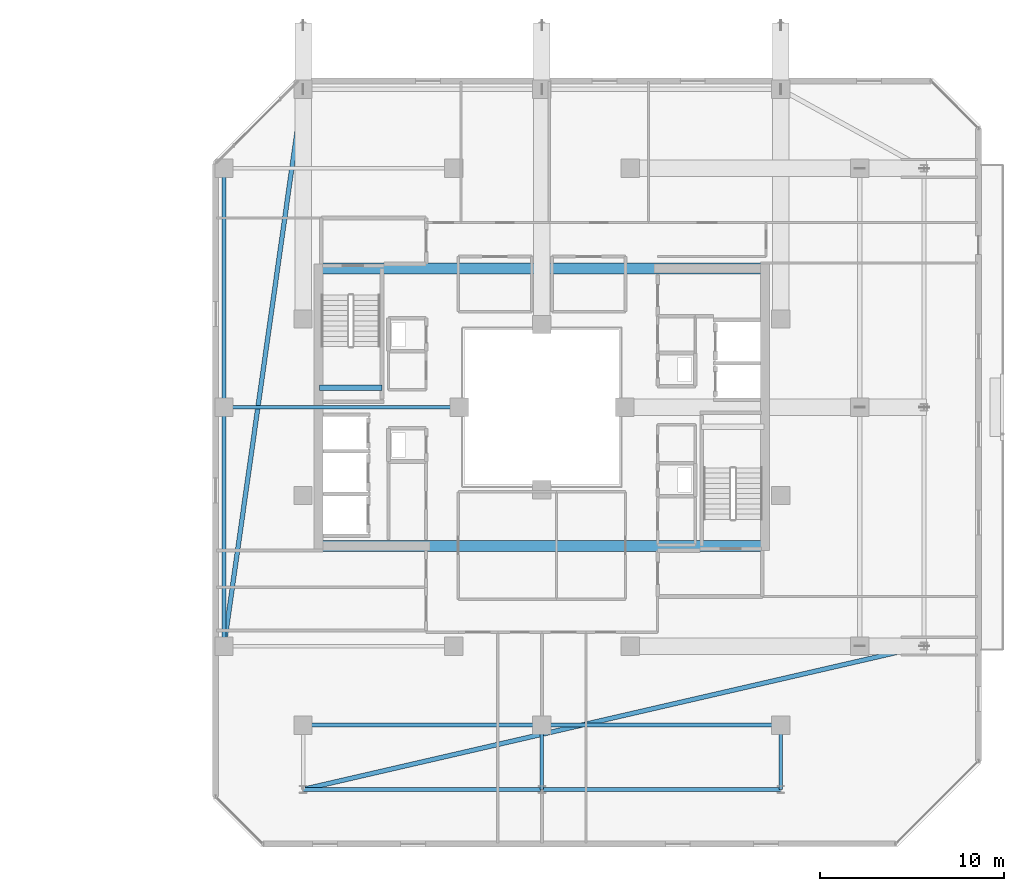
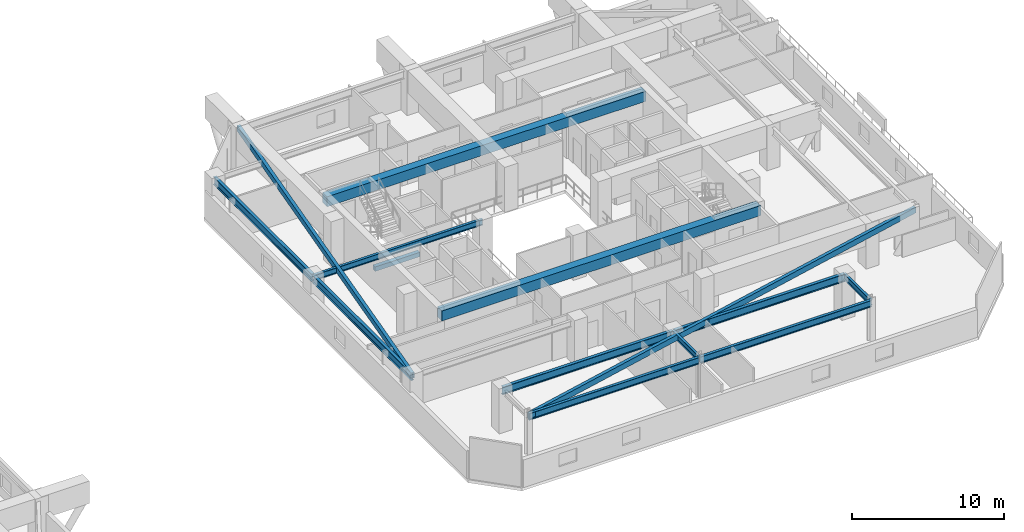
# One storey, part 11 of 34: 14 beams.
"""IFC4 building model written with IfcOpenShell, lengths in metres."""

from ifc_helpers import new_model, si_unit, direction, frame, origin, origin_2d, place, context, subcontext, project, spatial, rectangle, hollow_rectangle, i_section, extrude, material, material_profile, profile_set, type_object, element, save


model = new_model("IFC4")

# Units and contexts
model_context = context("Model", 3, precision=1e-05, world=origin(), true_north=direction((0.0, 1.0)))
body_context = subcontext(model_context, "Body", "Model", "MODEL_VIEW")
ifc_project = project(units=[si_unit("LENGTHUNIT", "METRE"), si_unit("AREAUNIT", "SQUARE_METRE"), si_unit("VOLUMEUNIT", "CUBIC_METRE"), si_unit("PLANEANGLEUNIT", "RADIAN"), si_unit("MASSUNIT", "GRAM", prefix="KILO")], contexts=[model_context])

# Site, building, storey
site_placement = place(None, origin())
site = spatial("IfcSite", under=ifc_project, at=site_placement, CompositionType="ELEMENT")
building_placement = place(site_placement, origin())
building = spatial("IfcBuilding", under=site, at=building_placement, Name="Thornwick Lancets Civic Towers", CompositionType="ELEMENT")
storey_placement = place(building_placement, frame((0.0, 0.0, 251.10009765625)))
storey = spatial("IfcBuildingStorey", under=building, at=storey_placement, Name="L67", CompositionType="ELEMENT", Elevation=251.10009765625)

# Beams
ifc_material_1 = material(Name="Concrete C60/75", Category="concrete")
ifc_material_profile_1 = material_profile(ifc_material_1, rectangle(XDim=0.60009765625, YDim=0.800048828125, at=origin_2d()), Name="RC 600x800")
ifc_profile_set_1 = profile_set([ifc_material_profile_1], Name="Concrete C60/75")
beam_type_1 = type_object("IfcBeamType", Name="BM_COUP_RC800", PredefinedType="BEAM", material=ifc_profile_set_1)
for number, where, z_axis, x_axis, name in (
    (1, (76.39990234375, 34.550048828125, 2.93994140625), (1.0, 0.0, 0.0), (0.0, 1.0, 0.0), "CB-L67-B1"),
    (2, (76.39990234375, 19.449951171875, 2.93994140625), (1.0, 0.0, 0.0), (0.0, 1.0, 0.0), "CB-L67-B2"),
):
    element("IfcBeam", number, at=place(storey_placement, frame(where, z_axis=z_axis, x_axis=x_axis)), inside=storey, type_object=beam_type_1, Name=name, PredefinedType="BEAM", context=body_context, shape_type="SweptSolid", body=[
        extrude(rectangle(XDim=0.60009765625, YDim=0.800048828125, at=origin_2d()), origin(), (0.0, 0.0, 1.0), 24.2001953125),
    ])
ifc_material_2 = material(Name="Steel S355JR", Category="steel")
ifc_material_profile_2 = material_profile(ifc_material_2, i_section(OverallWidth=0.210693359375, OverallDepth=0.53955078125, WebThickness=0.01171875, FlangeThickness=0.018798828125, FilletRadius=0.0126953125, at=origin_2d()), Name="UKB 533x210x109")
ifc_profile_set_2 = profile_set([ifc_material_profile_2], Name="Steel S355JR")
beam_type_2 = type_object("IfcBeamType", Name="BM_EDGE_533_109", PredefinedType="SPANDREL", material=ifc_profile_set_2)
beam_1_placement = place(storey_placement, frame((101.5, 6.199951171875, 3.0703125), z_axis=(-1.0, 0.0, 0.0), x_axis=(0.0, -1.0, 0.0)))
element("IfcBeam", 3, at=beam_1_placement, inside=storey, type_object=beam_type_2, Name="BM-EDGE-L67-B-S3-1", PredefinedType="SPANDREL", context=body_context, shape_type="SweptSolid", body=[
    extrude(i_section(OverallWidth=0.210693359375, OverallDepth=0.53955078125, WebThickness=0.01171875, FlangeThickness=0.018798828125, FilletRadius=0.0126953125, at=origin_2d()), origin(), (0.0, 0.0, 1.0), 13.0),
])
beam_2_placement = place(storey_placement, frame((88.419921875, 6.199951171875, 3.0703125), z_axis=(-1.0, 0.0, 0.0), x_axis=(0.0, -1.0, 0.0)))
element("IfcBeam", 4, at=beam_2_placement, inside=storey, type_object=beam_type_2, Name="BM-EDGE-L67-B-S3-2", PredefinedType="SPANDREL", context=body_context, shape_type="SweptSolid", body=[
    extrude(i_section(OverallWidth=0.210693359375, OverallDepth=0.53955078125, WebThickness=0.01171875, FlangeThickness=0.018798828125, FilletRadius=0.0126953125, at=origin_2d()), origin(), (0.0, 0.0, 1.0), 12.919921875),
])
ifc_material_profile_3 = material_profile(ifc_material_2, i_section(OverallWidth=0.230224609375, OverallDepth=0.6171875, WebThickness=0.01318359375, FlangeThickness=0.022216796875, FilletRadius=0.0126953125, at=origin_2d()), Name="UKB 610x229x140")
ifc_profile_set_3 = profile_set([ifc_material_profile_3], Name="Steel S355JR")
beam_type_3 = type_object("IfcBeamType", Name="BM_GIRD_610_140", PredefinedType="BEAM", material=ifc_profile_set_3)
beam_3_placement = place(storey_placement, frame((71.199951171875, 14.0, 3.03125), z_axis=(0.0, 1.0, 0.0), x_axis=(-1.0, 0.0, 0.0)))
element("IfcBeam", 5, at=beam_3_placement, inside=storey, type_object=beam_type_3, Name="BM-SPINE-L67-B-6-7", PredefinedType="BEAM", context=body_context, shape_type="SweptSolid", body=[
    extrude(i_section(OverallWidth=0.230224609375, OverallDepth=0.6171875, WebThickness=0.01318359375, FlangeThickness=0.022216796875, FilletRadius=0.0126953125, at=origin_2d()), origin(), (0.0, 0.0, 1.0), 13.0),
])
beam_4_placement = place(storey_placement, frame((71.199951171875, 27.080078125, 3.03125), z_axis=(0.0, 1.0, 0.0), x_axis=(-1.0, 0.0, 0.0)))
element("IfcBeam", 6, at=beam_4_placement, inside=storey, type_object=beam_type_3, Name="BM-SPINE-L67-B-7-8", PredefinedType="BEAM", context=body_context, shape_type="SweptSolid", body=[
    extrude(i_section(OverallWidth=0.230224609375, OverallDepth=0.6171875, WebThickness=0.01318359375, FlangeThickness=0.022216796875, FilletRadius=0.0126953125, at=origin_2d()), origin(), (0.0, 0.0, 1.0), 12.919921875),
])
beam_5_placement = place(storey_placement, frame((101.5, 9.699951171875, 3.03125), z_axis=(-1.0, 0.0, 0.0), x_axis=(0.0, -1.0, 0.0)))
element("IfcBeam", 7, at=beam_5_placement, inside=storey, type_object=beam_type_3, Name="BM-SPINE-L67-B-9-10", PredefinedType="BEAM", context=body_context, shape_type="SweptSolid", body=[
    extrude(i_section(OverallWidth=0.230224609375, OverallDepth=0.6171875, WebThickness=0.01318359375, FlangeThickness=0.022216796875, FilletRadius=0.0126953125, at=origin_2d()), origin(), (0.0, 0.0, 1.0), 13.0),
])
beam_6_placement = place(storey_placement, frame((88.419921875, 9.699951171875, 3.03125), z_axis=(-1.0, 0.0, 0.0), x_axis=(0.0, -1.0, 0.0)))
element("IfcBeam", 8, at=beam_6_placement, inside=storey, type_object=beam_type_3, Name="BM-SPINE-L67-B-10-11", PredefinedType="BEAM", context=body_context, shape_type="SweptSolid", body=[
    extrude(i_section(OverallWidth=0.230224609375, OverallDepth=0.6171875, WebThickness=0.01318359375, FlangeThickness=0.022216796875, FilletRadius=0.0126953125, at=origin_2d()), origin(), (0.0, 0.0, 1.0), 12.919921875),
])
ifc_material_profile_4 = material_profile(ifc_material_2, i_section(OverallWidth=0.19189453125, OverallDepth=0.46337890625, WebThickness=0.010498046875, FlangeThickness=0.017578125, FilletRadius=0.01025390625, at=origin_2d()), Name="UKB 457x191x89")
ifc_profile_set_4 = profile_set([ifc_material_profile_4], Name="Steel S355JR")
beam_type_4 = type_object("IfcBeamType", Name="BM_JOIST_457_89", PredefinedType="JOIST", material=ifc_profile_set_4)
beam_7_placement = place(storey_placement, frame((84.0, 27.0, 3.108154296875), z_axis=(-1.0, 0.0, 0.0), x_axis=(0.0, -1.0, 0.0)))
element("IfcBeam", 9, at=beam_7_placement, inside=storey, type_object=beam_type_4, Name="BM-RADIN-L67-B08", PredefinedType="JOIST", context=body_context, shape_type="SweptSolid", body=[
    extrude(i_section(OverallWidth=0.19189453125, OverallDepth=0.46337890625, WebThickness=0.010498046875, FlangeThickness=0.017578125, FilletRadius=0.01025390625, at=origin_2d()), origin(), (0.0, 0.0, 1.0), 12.800048828125),
])
for number, where, z_axis, x_axis, name in (
    (10, (101.5, 9.699951171875, 3.108154296875), (0.0, -1.0, 0.0), (1.0, 0.0, 0.0), "BM-RAD-L67-B10"),
    (11, (88.5, 9.699951171875, 3.108154296875), (0.0, -1.0, 0.0), (1.0, 0.0, 0.0), "BM-RAD-L67-B11"),
):
    element("IfcBeam", number, at=place(storey_placement, frame(where, z_axis=z_axis, x_axis=x_axis)), inside=storey, type_object=beam_type_4, Name=name, PredefinedType="JOIST", context=body_context, shape_type="SweptSolid", body=[
        extrude(i_section(OverallWidth=0.19189453125, OverallDepth=0.46337890625, WebThickness=0.010498046875, FlangeThickness=0.017578125, FilletRadius=0.01025390625, at=origin_2d()), origin(), (0.0, 0.0, 1.0), 3.5),
    ])
ifc_material_profile_5 = material_profile(ifc_material_2, hollow_rectangle(XDim=0.25, YDim=0.449951171875, WallThickness=0.01611328125, at=origin_2d()), Name="RHS 450x250x16")
ifc_profile_set_5 = profile_set([ifc_material_profile_5], Name="Steel S355JR")
beam_type_5 = type_object("IfcBeamType", Name="BM_RING_RHS450", PredefinedType="BEAM", material=ifc_profile_set_5)
beam_8_placement = place(storey_placement, frame((75.5, 44.300048828125, 3.114990234375), z_axis=(-0.140507712682, -0.990079584012, 0.0), x_axis=(0.990079584012, -0.140507712682, 0.0)))
element("IfcBeam", 12, at=beam_8_placement, inside=storey, type_object=beam_type_5, Name="BM-CHAMF-L67-B-C1", PredefinedType="BEAM", context=body_context, shape_type="SweptSolid", body=[
    extrude(hollow_rectangle(XDim=0.25, YDim=0.449951171875, WallThickness=0.01611328125, at=origin_2d()), origin(), (0.0, 0.0, 1.0), 30.603759765625),
])
beam_9_placement = place(storey_placement, frame((75.5, 6.199951171875, 3.114990234375), z_axis=(0.974390958454, 0.224860534737, 0.0), x_axis=(-0.224860534737, 0.974390958454, 0.0)))
element("IfcBeam", 13, at=beam_9_placement, inside=storey, type_object=beam_type_5, Name="BM-CHAMF-L67-B-C3", PredefinedType="BEAM", context=body_context, shape_type="SweptSolid", body=[
    extrude(hollow_rectangle(XDim=0.25, YDim=0.449951171875, WallThickness=0.01611328125, at=origin_2d()), origin(), (0.0, 0.0, 1.0), 34.6884765625),
])
ifc_material_3 = material(Name="Concrete C40/50", Category="concrete")
ifc_material_profile_6 = material_profile(ifc_material_3, rectangle(XDim=0.300048828125, YDim=0.35009765625, at=origin_2d()), Name="RC 300x350")
ifc_profile_set_6 = profile_set([ifc_material_profile_6], Name="Concrete C40/50")
beam_type_6 = type_object("IfcBeamType", Name="BM_STAIR_LDG", PredefinedType="BEAM", material=ifc_profile_set_6)
beam_10_placement = place(storey_placement, frame((76.39990234375, 28.06494140625, 1.3779296875), z_axis=(1.0, 0.0, 0.0), x_axis=(0.0, 1.0, 0.0)))
element("IfcBeam", 14, at=beam_10_placement, inside=storey, type_object=beam_type_6, Name="L67 ST-B2 Landing Support Beam 1", PredefinedType="BEAM", context=body_context, shape_type="SweptSolid", body=[
    extrude(rectangle(XDim=0.300048828125, YDim=0.35009765625, at=origin_2d()), origin(), (0.0, 0.0, 1.0), 3.400146484375),
])

save(model, "model.ifc")
